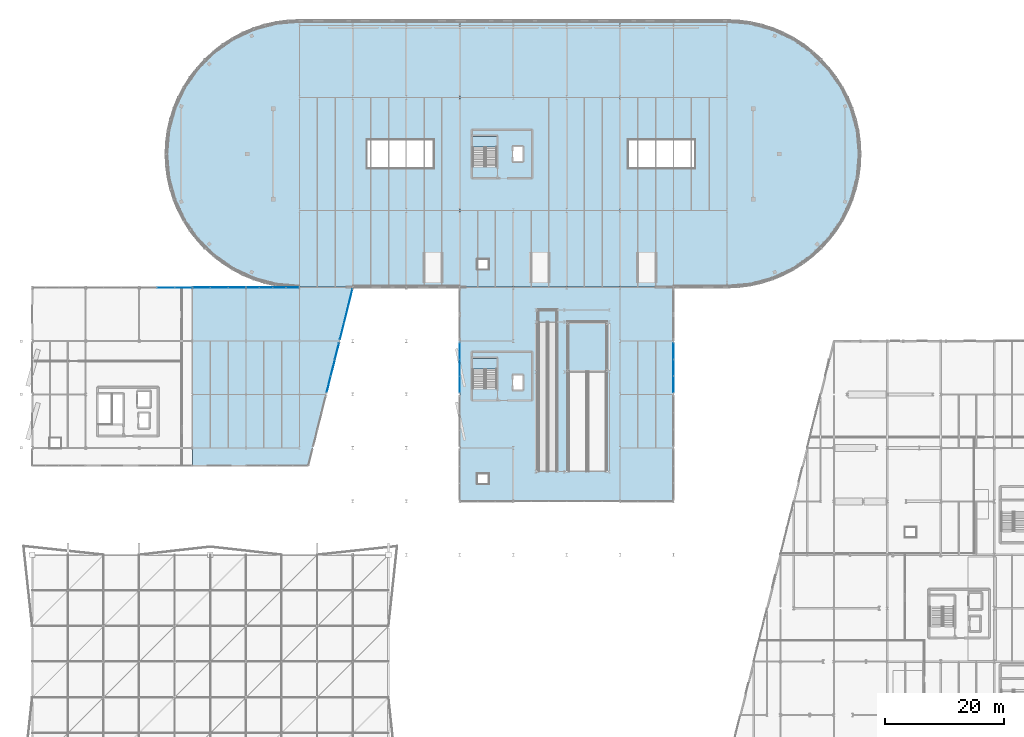
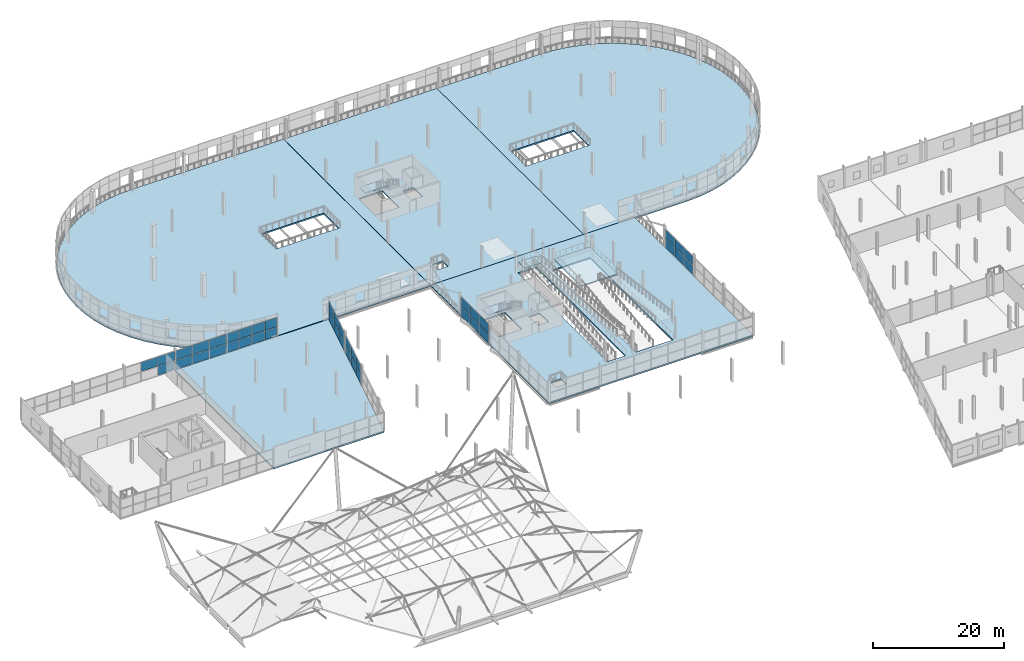
# One storey, part 102 of 132: 41 plates, 9 slabs, 10 elements without a shape of their own.
"""IFC4 building model written with IfcOpenShell, lengths in metres."""

from ifc_helpers import new_model, si_unit, direction, frame, origin, origin_2d, place, context, subcontext, project, spatial, polyline, rectangle, outline, extrude, material, layer, layer_set, type_object, element, aggregate, save


model = new_model("IFC4")

# Units and contexts
model_context = context("Model", 3, precision=1e-05, world=origin(), true_north=direction((0.0, 1.0)))
body_context = subcontext(model_context, "Body", "Model", "MODEL_VIEW")
ifc_project = project(units=[si_unit("LENGTHUNIT", "METRE"), si_unit("AREAUNIT", "SQUARE_METRE"), si_unit("VOLUMEUNIT", "CUBIC_METRE"), si_unit("PLANEANGLEUNIT", "RADIAN"), si_unit("MASSUNIT", "GRAM", prefix="KILO")], contexts=[model_context])

# Site, building, storey
site_placement = place(None, origin())
site = spatial("IfcSite", under=ifc_project, at=site_placement, CompositionType="ELEMENT")
building_placement = place(site_placement, origin())
building = spatial("IfcBuilding", under=site, at=building_placement, Name="Deido Ridge Mobility Hub", CompositionType="ELEMENT")
storey_placement = place(building_placement, frame((0.0, 0.0, 8.39990234375)))
storey = spatial("IfcBuildingStorey", under=building, at=storey_placement, Name="L02", CompositionType="ELEMENT", Elevation=8.39990234375)

# Curtain wall, plates
ifc_material_1 = material(Name="Anodised aluminium EN AW-6063 T6", Category="aluminium")
ifc_layer_1 = layer(ifc_material_1, 0.27001953125, Name="Anodised aluminium EN AW-6063 T6")
ifc_layer_set_1 = layer_set([ifc_layer_1], Name="Anodised aluminium EN AW-6063 T6")
curtain_wall_type_1 = type_object("IfcCurtainWallType", Name="CW-UF-8", PredefinedType="USERDEFINED", material=ifc_layer_set_1)
curtain_wall_1_placement = place(storey_placement, origin())
curtain_wall_1 = element("IfcCurtainWall", 1, at=curtain_wall_1_placement, inside=storey, type_object=curtain_wall_type_1, Name="Unitised curtain wall CW8", ObjectType="UNITISED FACADE", PredefinedType="USERDEFINED")
ifc_material_2 = material(Name="Laminated solar-control low-E glass", Category="glass")
ifc_layer_2 = layer(ifc_material_2, 0.02587890625, Name="Laminated solar-control low-E glass")
ifc_layer_set_2 = layer_set([ifc_layer_2], Name="Laminated solar-control low-E glass")
plate_type_1 = type_object("IfcPlateType", Name="PLT-CWP-26", PredefinedType="CURTAIN_PANEL", material=ifc_layer_set_2)
plate_1_placement = place(storey_placement, frame((52.173095703125, 73.692626953125, 0.050048828125), z_axis=(0.0, 0.0, 1.0), x_axis=(0.242546419373, 0.970139801497, 0.0)))
plate_1 = element("IfcPlate", 2, at=plate_1_placement, type_object=plate_type_1, Name="CW8 panel 1.1", PredefinedType="CURTAIN_PANEL", context=body_context, shape_type="SweptSolid", body=[
    extrude(rectangle(XDim=2.831298828125, YDim=0.02587890625, at=origin_2d()), origin(), (0.0, 0.0, 1.0), 1.72509765625),
])
plate_2_placement = place(storey_placement, frame((52.173095703125, 73.692626953125, 1.824951171875), z_axis=(0.0, 0.0, 1.0), x_axis=(0.242546419373, 0.970139801497, 0.0)))
plate_2 = element("IfcPlate", 3, at=plate_2_placement, type_object=plate_type_1, Name="CW8 panel 1.2", PredefinedType="CURTAIN_PANEL", context=body_context, shape_type="SweptSolid", body=[
    extrude(rectangle(XDim=2.831298828125, YDim=0.02587890625, at=origin_2d()), origin(), (0.0, 0.0, 1.0), 1.72509765625),
])
plate_3_placement = place(storey_placement, frame((52.875, 76.5, 0.050048828125), z_axis=(0.0, 0.0, 1.0), x_axis=(0.242546419373, 0.970139801497, 0.0)))
plate_3 = element("IfcPlate", 4, at=plate_3_placement, type_object=plate_type_1, Name="CW8 panel 2.1", PredefinedType="CURTAIN_PANEL", context=body_context, shape_type="SweptSolid", body=[
    extrude(rectangle(XDim=2.8564453125, YDim=0.02587890625, at=origin_2d()), origin(), (0.0, 0.0, 1.0), 1.72509765625),
])
plate_4_placement = place(storey_placement, frame((52.875, 76.5, 1.824951171875), z_axis=(0.0, 0.0, 1.0), x_axis=(0.242546419373, 0.970139801497, 0.0)))
plate_4 = element("IfcPlate", 5, at=plate_4_placement, type_object=plate_type_1, Name="CW8 panel 2.2", PredefinedType="CURTAIN_PANEL", context=body_context, shape_type="SweptSolid", body=[
    extrude(rectangle(XDim=2.8564453125, YDim=0.02587890625, at=origin_2d()), origin(), (0.0, 0.0, 1.0), 1.72509765625),
])
plate_5_placement = place(storey_placement, frame((53.576904296875, 79.307373046875, 0.050048828125), z_axis=(0.0, 0.0, 1.0), x_axis=(0.242546419373, 0.970139801497, 0.0)))
plate_5 = element("IfcPlate", 6, at=plate_5_placement, type_object=plate_type_1, Name="CW8 panel 3.1", PredefinedType="CURTAIN_PANEL", context=body_context, shape_type="SweptSolid", body=[
    extrude(rectangle(XDim=2.831298828125, YDim=0.02587890625, at=origin_2d()), origin(), (0.0, 0.0, 1.0), 1.72509765625),
])
plate_6_placement = place(storey_placement, frame((53.576904296875, 79.307373046875, 1.824951171875), z_axis=(0.0, 0.0, 1.0), x_axis=(0.242546419373, 0.970139801497, 0.0)))
plate_6 = element("IfcPlate", 7, at=plate_6_placement, type_object=plate_type_1, Name="CW8 panel 3.2", PredefinedType="CURTAIN_PANEL", context=body_context, shape_type="SweptSolid", body=[
    extrude(rectangle(XDim=2.831298828125, YDim=0.02587890625, at=origin_2d()), origin(), (0.0, 0.0, 1.0), 1.72509765625),
])
aggregate(curtain_wall_1, [plate_1, plate_2, plate_3, plate_4, plate_5, plate_6])

ifc_layer_3 = layer(ifc_material_1, 0.156005859375, Name="Anodised aluminium EN AW-6063 T6")
ifc_layer_set_3 = layer_set([ifc_layer_3], Name="Anodised aluminium EN AW-6063 T6")
curtain_wall_type_2 = type_object("IfcCurtainWallType", Name="CW-GS-3", PredefinedType="USERDEFINED", material=ifc_layer_set_3)
curtain_wall_2_placement = place(storey_placement, origin())
curtain_wall_2 = element("IfcCurtainWall", 8, at=curtain_wall_2_placement, inside=storey, type_object=curtain_wall_type_2, Name="Unitised curtain wall GS3", ObjectType="GLAZED SCREEN", PredefinedType="USERDEFINED")
ifc_layer_4 = layer(ifc_material_2, 0.032958984375, Name="Laminated solar-control low-E glass")
ifc_layer_set_4 = layer_set([ifc_layer_4], Name="Laminated solar-control low-E glass")
plate_type_2 = type_object("IfcPlateType", Name="PLT-CWP-33", PredefinedType="CURTAIN_PANEL", material=ifc_layer_set_4)
plate_7_placement = place(storey_placement, frame((22.5, 81.0, 1.83251953125), z_axis=(0.0, 0.0, 1.0), x_axis=(1.0, 0.0, 0.0)))
plate_7 = element("IfcPlate", 9, at=plate_7_placement, type_object=plate_type_2, Name="GS3 panel 2.2", PredefinedType="CURTAIN_PANEL", context=body_context, shape_type="SweptSolid", body=[
    extrude(rectangle(XDim=2.93017578125, YDim=0.032958984375, at=origin_2d()), origin(), (0.0, 0.0, 1.0), 1.702392578125),
])
plate_8_placement = place(storey_placement, frame((25.47900390625, 81.0, 0.06494140625), z_axis=(0.0, 0.0, 1.0), x_axis=(1.0, 0.0, 0.0)))
plate_8 = element("IfcPlate", 10, at=plate_8_placement, type_object=plate_type_2, Name="GS3 panel 3.1", PredefinedType="CURTAIN_PANEL", context=body_context, shape_type="SweptSolid", body=[
    extrude(rectangle(XDim=2.897705078125, YDim=0.032958984375, at=origin_2d()), origin(), (0.0, 0.0, 1.0), 1.702392578125),
])
plate_9_placement = place(storey_placement, frame((25.47900390625, 81.0, 1.83251953125), z_axis=(0.0, 0.0, 1.0), x_axis=(1.0, 0.0, 0.0)))
plate_9 = element("IfcPlate", 11, at=plate_9_placement, type_object=plate_type_2, Name="GS3 panel 3.2", PredefinedType="CURTAIN_PANEL", context=body_context, shape_type="SweptSolid", body=[
    extrude(rectangle(XDim=2.897705078125, YDim=0.032958984375, at=origin_2d()), origin(), (0.0, 0.0, 1.0), 1.702392578125),
])
aggregate(curtain_wall_2, [plate_7, plate_8, plate_9])

ifc_layer_5 = layer(ifc_material_1, 0.16796875, Name="Anodised aluminium EN AW-6063 T6")
ifc_layer_set_5 = layer_set([ifc_layer_5], Name="Anodised aluminium EN AW-6063 T6")
curtain_wall_type_3 = type_object("IfcCurtainWallType", Name="CW-GS-4", PredefinedType="USERDEFINED", material=ifc_layer_set_5)
curtain_wall_3_placement = place(storey_placement, origin())
curtain_wall_3 = element("IfcCurtainWall", 12, at=curtain_wall_3_placement, inside=storey, type_object=curtain_wall_type_3, Name="Unitised curtain wall GS4", ObjectType="GLAZED SCREEN", PredefinedType="USERDEFINED")
ifc_layer_6 = layer(ifc_material_2, 0.034912109375, Name="Laminated solar-control low-E glass")
ifc_layer_set_6 = layer_set([ifc_layer_6], Name="Laminated solar-control low-E glass")
plate_type_3 = type_object("IfcPlateType", Name="PLT-CWP-35", PredefinedType="CURTAIN_PANEL", material=ifc_layer_set_6)
plate_10_placement = place(storey_placement, frame((28.522216796875, 81.0, 0.06982421875), z_axis=(0.0, 0.0, 1.0), x_axis=(1.0, 0.0, 0.0)))
plate_10 = element("IfcPlate", 13, at=plate_10_placement, type_object=plate_type_3, Name="GS4 panel 1.1", PredefinedType="CURTAIN_PANEL", context=body_context, shape_type="SweptSolid", body=[
    extrude(rectangle(XDim=2.89013671875, YDim=0.034912109375, at=origin_2d()), origin(), (0.0, 0.0, 1.0), 1.695068359375),
])
plate_11_placement = place(storey_placement, frame((28.522216796875, 81.0, 1.8349609375), z_axis=(0.0, 0.0, 1.0), x_axis=(1.0, 0.0, 0.0)))
plate_11 = element("IfcPlate", 14, at=plate_11_placement, type_object=plate_type_3, Name="GS4 panel 1.2", PredefinedType="CURTAIN_PANEL", context=body_context, shape_type="SweptSolid", body=[
    extrude(rectangle(XDim=2.89013671875, YDim=0.034912109375, at=origin_2d()), origin(), (0.0, 0.0, 1.0), 1.695068359375),
])
plate_12_placement = place(storey_placement, frame((31.5, 81.0, 0.06982421875), z_axis=(0.0, 0.0, 1.0), x_axis=(1.0, 0.0, 0.0)))
plate_12 = element("IfcPlate", 15, at=plate_12_placement, type_object=plate_type_3, Name="GS4 panel 2.1", PredefinedType="CURTAIN_PANEL", context=body_context, shape_type="SweptSolid", body=[
    extrude(rectangle(XDim=2.92529296875, YDim=0.034912109375, at=origin_2d()), origin(), (0.0, 0.0, 1.0), 1.695068359375),
])
plate_13_placement = place(storey_placement, frame((31.5, 81.0, 1.8349609375), z_axis=(0.0, 0.0, 1.0), x_axis=(1.0, 0.0, 0.0)))
plate_13 = element("IfcPlate", 16, at=plate_13_placement, type_object=plate_type_3, Name="GS4 panel 2.2", PredefinedType="CURTAIN_PANEL", context=body_context, shape_type="SweptSolid", body=[
    extrude(rectangle(XDim=2.92529296875, YDim=0.034912109375, at=origin_2d()), origin(), (0.0, 0.0, 1.0), 1.695068359375),
])
plate_14_placement = place(storey_placement, frame((34.477783203125, 81.0, 0.06982421875), z_axis=(0.0, 0.0, 1.0), x_axis=(1.0, 0.0, 0.0)))
plate_14 = element("IfcPlate", 17, at=plate_14_placement, type_object=plate_type_3, Name="GS4 panel 3.1", PredefinedType="CURTAIN_PANEL", context=body_context, shape_type="SweptSolid", body=[
    extrude(rectangle(XDim=2.89013671875, YDim=0.034912109375, at=origin_2d()), origin(), (0.0, 0.0, 1.0), 1.695068359375),
])
plate_15_placement = place(storey_placement, frame((34.477783203125, 81.0, 1.8349609375), z_axis=(0.0, 0.0, 1.0), x_axis=(1.0, 0.0, 0.0)))
plate_15 = element("IfcPlate", 18, at=plate_15_placement, type_object=plate_type_3, Name="GS4 panel 3.2", PredefinedType="CURTAIN_PANEL", context=body_context, shape_type="SweptSolid", body=[
    extrude(rectangle(XDim=2.89013671875, YDim=0.034912109375, at=origin_2d()), origin(), (0.0, 0.0, 1.0), 1.695068359375),
])
aggregate(curtain_wall_3, [plate_10, plate_11, plate_12, plate_13, plate_14, plate_15])

ifc_layer_7 = layer(ifc_material_1, 0.195068359375, Name="Anodised aluminium EN AW-6063 T6")
ifc_layer_set_7 = layer_set([ifc_layer_7], Name="Anodised aluminium EN AW-6063 T6")
curtain_wall_type_4 = type_object("IfcCurtainWallType", Name="CW-UF-3", PredefinedType="USERDEFINED", material=ifc_layer_set_7)
curtain_wall_4_placement = place(storey_placement, origin())
curtain_wall_4 = element("IfcCurtainWall", 19, at=curtain_wall_4_placement, inside=storey, type_object=curtain_wall_type_4, Name="Unitised curtain wall CW3", ObjectType="UNITISED FACADE", PredefinedType="USERDEFINED")
plate_16_placement = place(storey_placement, frame((72.0, 64.68408203125, 0.06982421875), z_axis=(0.0, 0.0, 1.0), x_axis=(0.0, 1.0, 0.0)))
plate_16 = element("IfcPlate", 20, at=plate_16_placement, type_object=plate_type_3, Name="CW3 panel 1.1", PredefinedType="CURTAIN_PANEL", context=body_context, shape_type="SweptSolid", body=[
    extrude(rectangle(XDim=2.728271484375, YDim=0.034912109375, at=origin_2d()), origin(), (0.0, 0.0, 1.0), 1.695068359375),
])
plate_17_placement = place(storey_placement, frame((72.0, 64.68408203125, 1.8349609375), z_axis=(0.0, 0.0, 1.0), x_axis=(0.0, 1.0, 0.0)))
plate_17 = element("IfcPlate", 21, at=plate_17_placement, type_object=plate_type_3, Name="CW3 panel 1.2", PredefinedType="CURTAIN_PANEL", context=body_context, shape_type="SweptSolid", body=[
    extrude(rectangle(XDim=2.728271484375, YDim=0.034912109375, at=origin_2d()), origin(), (0.0, 0.0, 1.0), 1.695068359375),
])
plate_18_placement = place(storey_placement, frame((72.0, 67.5, 0.06982421875), z_axis=(0.0, 0.0, 1.0), x_axis=(0.0, 1.0, 0.0)))
plate_18 = element("IfcPlate", 22, at=plate_18_placement, type_object=plate_type_3, Name="CW3 panel 2.1", PredefinedType="CURTAIN_PANEL", context=body_context, shape_type="SweptSolid", body=[
    extrude(rectangle(XDim=2.763427734375, YDim=0.034912109375, at=origin_2d()), origin(), (0.0, 0.0, 1.0), 1.695068359375),
])
plate_19_placement = place(storey_placement, frame((72.0, 67.5, 1.8349609375), z_axis=(0.0, 0.0, 1.0), x_axis=(0.0, 1.0, 0.0)))
plate_19 = element("IfcPlate", 23, at=plate_19_placement, type_object=plate_type_3, Name="CW3 panel 2.2", PredefinedType="CURTAIN_PANEL", context=body_context, shape_type="SweptSolid", body=[
    extrude(rectangle(XDim=2.763427734375, YDim=0.034912109375, at=origin_2d()), origin(), (0.0, 0.0, 1.0), 1.695068359375),
])
plate_20_placement = place(storey_placement, frame((72.0, 70.31591796875, 0.06982421875), z_axis=(0.0, 0.0, 1.0), x_axis=(0.0, 1.0, 0.0)))
plate_20 = element("IfcPlate", 24, at=plate_20_placement, type_object=plate_type_3, Name="CW3 panel 3.1", PredefinedType="CURTAIN_PANEL", context=body_context, shape_type="SweptSolid", body=[
    extrude(rectangle(XDim=2.728271484375, YDim=0.034912109375, at=origin_2d()), origin(), (0.0, 0.0, 1.0), 1.695068359375),
])
plate_21_placement = place(storey_placement, frame((72.0, 70.31591796875, 1.8349609375), z_axis=(0.0, 0.0, 1.0), x_axis=(0.0, 1.0, 0.0)))
plate_21 = element("IfcPlate", 25, at=plate_21_placement, type_object=plate_type_3, Name="CW3 panel 3.2", PredefinedType="CURTAIN_PANEL", context=body_context, shape_type="SweptSolid", body=[
    extrude(rectangle(XDim=2.728271484375, YDim=0.034912109375, at=origin_2d()), origin(), (0.0, 0.0, 1.0), 1.695068359375),
])
aggregate(curtain_wall_4, [plate_16, plate_17, plate_18, plate_19, plate_20, plate_21])

ifc_layer_8 = layer(ifc_material_1, 0.132080078125, Name="Anodised aluminium EN AW-6063 T6")
ifc_layer_set_8 = layer_set([ifc_layer_8], Name="Anodised aluminium EN AW-6063 T6")
curtain_wall_type_5 = type_object("IfcCurtainWallType", Name="CW-GS-1", PredefinedType="USERDEFINED", material=ifc_layer_set_8)
curtain_wall_5_placement = place(storey_placement, origin())
curtain_wall_5 = element("IfcCurtainWall", 26, at=curtain_wall_5_placement, inside=storey, type_object=curtain_wall_type_5, Name="Unitised curtain wall GS1", ObjectType="GLAZED SCREEN", PredefinedType="USERDEFINED")
ifc_layer_9 = layer(ifc_material_2, 0.037109375, Name="Laminated solar-control low-E glass")
ifc_layer_set_9 = layer_set([ifc_layer_9], Name="Laminated solar-control low-E glass")
plate_type_4 = type_object("IfcPlateType", Name="PLT-CWP-37", PredefinedType="CURTAIN_PANEL", material=ifc_layer_set_9)
plate_22_placement = place(storey_placement, frame((37.149169921875, 81.0, 0.0751953125), z_axis=(0.0, 0.0, 1.0), x_axis=(1.0, 0.0, 0.0)))
plate_22 = element("IfcPlate", 27, at=plate_22_placement, type_object=plate_type_4, Name="GS1 panel 1.1", PredefinedType="CURTAIN_PANEL", context=body_context, shape_type="SweptSolid", body=[
    extrude(rectangle(XDim=2.1337890625, YDim=0.037109375, at=origin_2d()), origin(), (0.0, 0.0, 1.0), 1.6875),
])
plate_23_placement = place(storey_placement, frame((37.149169921875, 81.0, 1.837646484375), z_axis=(0.0, 0.0, 1.0), x_axis=(1.0, 0.0, 0.0)))
plate_23 = element("IfcPlate", 28, at=plate_23_placement, type_object=plate_type_4, Name="GS1 panel 1.2", PredefinedType="CURTAIN_PANEL", context=body_context, shape_type="SweptSolid", body=[
    extrude(rectangle(XDim=2.1337890625, YDim=0.037109375, at=origin_2d()), origin(), (0.0, 0.0, 1.0), 1.6875),
])
plate_24_placement = place(storey_placement, frame((39.376708984375, 81.0, 0.0751953125), z_axis=(0.0, 0.0, 1.0), x_axis=(1.0, 0.0, 0.0)))
plate_24 = element("IfcPlate", 29, at=plate_24_placement, type_object=plate_type_4, Name="GS1 panel 2.1", PredefinedType="CURTAIN_PANEL", context=body_context, shape_type="SweptSolid", body=[
    extrude(rectangle(XDim=2.17138671875, YDim=0.037109375, at=origin_2d()), origin(), (0.0, 0.0, 1.0), 1.6875),
])
plate_25_placement = place(storey_placement, frame((39.376708984375, 81.0, 1.837646484375), z_axis=(0.0, 0.0, 1.0), x_axis=(1.0, 0.0, 0.0)))
plate_25 = element("IfcPlate", 30, at=plate_25_placement, type_object=plate_type_4, Name="GS1 panel 2.2", PredefinedType="CURTAIN_PANEL", context=body_context, shape_type="SweptSolid", body=[
    extrude(rectangle(XDim=2.17138671875, YDim=0.037109375, at=origin_2d()), origin(), (0.0, 0.0, 1.0), 1.6875),
])
plate_26_placement = place(storey_placement, frame((41.623291015625, 81.0, 0.0751953125), z_axis=(0.0, 0.0, 1.0), x_axis=(1.0, 0.0, 0.0)))
plate_26 = element("IfcPlate", 31, at=plate_26_placement, type_object=plate_type_4, Name="GS1 panel 3.1", PredefinedType="CURTAIN_PANEL", context=body_context, shape_type="SweptSolid", body=[
    extrude(rectangle(XDim=2.17138671875, YDim=0.037109375, at=origin_2d()), origin(), (0.0, 0.0, 1.0), 1.6875),
])
plate_27_placement = place(storey_placement, frame((41.623291015625, 81.0, 1.837646484375), z_axis=(0.0, 0.0, 1.0), x_axis=(1.0, 0.0, 0.0)))
plate_27 = element("IfcPlate", 32, at=plate_27_placement, type_object=plate_type_4, Name="GS1 panel 3.2", PredefinedType="CURTAIN_PANEL", context=body_context, shape_type="SweptSolid", body=[
    extrude(rectangle(XDim=2.17138671875, YDim=0.037109375, at=origin_2d()), origin(), (0.0, 0.0, 1.0), 1.6875),
])
plate_28_placement = place(storey_placement, frame((43.850830078125, 81.0, 0.0751953125), z_axis=(0.0, 0.0, 1.0), x_axis=(1.0, 0.0, 0.0)))
plate_28 = element("IfcPlate", 33, at=plate_28_placement, type_object=plate_type_4, Name="GS1 panel 4.1", PredefinedType="CURTAIN_PANEL", context=body_context, shape_type="SweptSolid", body=[
    extrude(rectangle(XDim=2.1337890625, YDim=0.037109375, at=origin_2d()), origin(), (0.0, 0.0, 1.0), 1.6875),
])
plate_29_placement = place(storey_placement, frame((43.850830078125, 81.0, 1.837646484375), z_axis=(0.0, 0.0, 1.0), x_axis=(1.0, 0.0, 0.0)))
plate_29 = element("IfcPlate", 34, at=plate_29_placement, type_object=plate_type_4, Name="GS1 panel 4.2", PredefinedType="CURTAIN_PANEL", context=body_context, shape_type="SweptSolid", body=[
    extrude(rectangle(XDim=2.1337890625, YDim=0.037109375, at=origin_2d()), origin(), (0.0, 0.0, 1.0), 1.6875),
])
aggregate(curtain_wall_5, [plate_22, plate_23, plate_24, plate_25, plate_26, plate_27, plate_28, plate_29])

ifc_layer_10 = layer(ifc_material_1, 0.2548828125, Name="Anodised aluminium EN AW-6063 T6")
ifc_layer_set_10 = layer_set([ifc_layer_10], Name="Anodised aluminium EN AW-6063 T6")
curtain_wall_type_6 = type_object("IfcCurtainWallType", Name="CW-UF-7", PredefinedType="USERDEFINED", material=ifc_layer_set_10)
curtain_wall_6_placement = place(storey_placement, origin())
curtain_wall_6 = element("IfcCurtainWall", 35, at=curtain_wall_6_placement, inside=storey, type_object=curtain_wall_type_6, Name="Unitised curtain wall CW7", ObjectType="UNITISED FACADE", PredefinedType="USERDEFINED")
ifc_layer_11 = layer(ifc_material_2, 0.041015625, Name="Laminated solar-control low-E glass")
ifc_layer_set_11 = layer_set([ifc_layer_11], Name="Laminated solar-control low-E glass")
plate_type_5 = type_object("IfcPlateType", Name="PLT-CWP-41", PredefinedType="CURTAIN_PANEL", material=ifc_layer_set_11)
plate_30_placement = place(storey_placement, frame((49.92529296875, 64.700927734375, 0.0849609375), z_axis=(0.0, 0.0, 1.0), x_axis=(0.242546419373, 0.970139801497, 0.0)))
plate_30 = element("IfcPlate", 36, at=plate_30_placement, type_object=plate_type_5, Name="CW7 panel 1.1", PredefinedType="CURTAIN_PANEL", context=body_context, shape_type="SweptSolid", body=[
    extrude(rectangle(XDim=2.77880859375, YDim=0.041015625, at=origin_2d()), origin(), (0.0, 0.0, 1.0), 1.672607421875),
])
plate_31_placement = place(storey_placement, frame((49.92529296875, 64.700927734375, 1.8427734375), z_axis=(0.0, 0.0, 1.0), x_axis=(0.242546419373, 0.970139801497, 0.0)))
plate_31 = element("IfcPlate", 37, at=plate_31_placement, type_object=plate_type_5, Name="CW7 panel 1.2", PredefinedType="CURTAIN_PANEL", context=body_context, shape_type="SweptSolid", body=[
    extrude(rectangle(XDim=2.77880859375, YDim=0.041015625, at=origin_2d()), origin(), (0.0, 0.0, 1.0), 1.672607421875),
])
plate_32_placement = place(storey_placement, frame((50.625, 67.5, 0.0849609375), z_axis=(0.0, 0.0, 1.0), x_axis=(0.242546419373, 0.970139801497, 0.0)))
plate_32 = element("IfcPlate", 38, at=plate_32_placement, type_object=plate_type_5, Name="CW7 panel 2.1", PredefinedType="CURTAIN_PANEL", context=body_context, shape_type="SweptSolid", body=[
    extrude(rectangle(XDim=2.8212890625, YDim=0.041015625, at=origin_2d()), origin(), (0.0, 0.0, 1.0), 1.672607421875),
])
plate_33_placement = place(storey_placement, frame((50.625, 67.5, 1.8427734375), z_axis=(0.0, 0.0, 1.0), x_axis=(0.242546419373, 0.970139801497, 0.0)))
plate_33 = element("IfcPlate", 39, at=plate_33_placement, type_object=plate_type_5, Name="CW7 panel 2.2", PredefinedType="CURTAIN_PANEL", context=body_context, shape_type="SweptSolid", body=[
    extrude(rectangle(XDim=2.8212890625, YDim=0.041015625, at=origin_2d()), origin(), (0.0, 0.0, 1.0), 1.672607421875),
])
plate_34_placement = place(storey_placement, frame((51.32470703125, 70.299072265625, 0.0849609375), z_axis=(0.0, 0.0, 1.0), x_axis=(0.242546419373, 0.970139801497, 0.0)))
plate_34 = element("IfcPlate", 40, at=plate_34_placement, type_object=plate_type_5, Name="CW7 panel 3.1", PredefinedType="CURTAIN_PANEL", context=body_context, shape_type="SweptSolid", body=[
    extrude(rectangle(XDim=2.77880859375, YDim=0.041015625, at=origin_2d()), origin(), (0.0, 0.0, 1.0), 1.672607421875),
])
plate_35_placement = place(storey_placement, frame((51.32470703125, 70.299072265625, 1.8427734375), z_axis=(0.0, 0.0, 1.0), x_axis=(0.242546419373, 0.970139801497, 0.0)))
plate_35 = element("IfcPlate", 41, at=plate_35_placement, type_object=plate_type_5, Name="CW7 panel 3.2", PredefinedType="CURTAIN_PANEL", context=body_context, shape_type="SweptSolid", body=[
    extrude(rectangle(XDim=2.77880859375, YDim=0.041015625, at=origin_2d()), origin(), (0.0, 0.0, 1.0), 1.672607421875),
])
aggregate(curtain_wall_6, [plate_30, plate_31, plate_32, plate_33, plate_34, plate_35])

ifc_layer_12 = layer(ifc_material_1, 0.239990234375, Name="Anodised aluminium EN AW-6063 T6")
ifc_layer_set_12 = layer_set([ifc_layer_12], Name="Anodised aluminium EN AW-6063 T6")
curtain_wall_type_7 = type_object("IfcCurtainWallType", Name="CW-UF-6", PredefinedType="USERDEFINED", material=ifc_layer_set_12)
curtain_wall_7_placement = place(storey_placement, origin())
curtain_wall_7 = element("IfcCurtainWall", 42, at=curtain_wall_7_placement, inside=storey, type_object=curtain_wall_type_7, Name="Unitised curtain wall CW6", ObjectType="UNITISED FACADE", PredefinedType="USERDEFINED")
plate_36_placement = place(storey_placement, frame((108.0, 64.68798828125, 0.0849609375), z_axis=(0.0, 0.0, 1.0), x_axis=(0.0, 1.0, 0.0)))
plate_36 = element("IfcPlate", 43, at=plate_36_placement, type_object=plate_type_5, Name="CW6 panel 1.1", PredefinedType="CURTAIN_PANEL", context=body_context, shape_type="SweptSolid", body=[
    extrude(rectangle(XDim=2.705810546875, YDim=0.041015625, at=origin_2d()), origin(), (0.0, 0.0, 1.0), 1.672607421875),
])
plate_37_placement = place(storey_placement, frame((108.0, 64.68798828125, 1.8427734375), z_axis=(0.0, 0.0, 1.0), x_axis=(0.0, 1.0, 0.0)))
plate_37 = element("IfcPlate", 44, at=plate_37_placement, type_object=plate_type_5, Name="CW6 panel 1.2", PredefinedType="CURTAIN_PANEL", context=body_context, shape_type="SweptSolid", body=[
    extrude(rectangle(XDim=2.705810546875, YDim=0.041015625, at=origin_2d()), origin(), (0.0, 0.0, 1.0), 1.672607421875),
])
plate_38_placement = place(storey_placement, frame((108.0, 67.5, 0.0849609375), z_axis=(0.0, 0.0, 1.0), x_axis=(0.0, 1.0, 0.0)))
plate_38 = element("IfcPlate", 45, at=plate_38_placement, type_object=plate_type_5, Name="CW6 panel 2.1", PredefinedType="CURTAIN_PANEL", context=body_context, shape_type="SweptSolid", body=[
    extrude(rectangle(XDim=2.748291015625, YDim=0.041015625, at=origin_2d()), origin(), (0.0, 0.0, 1.0), 1.672607421875),
])
plate_39_placement = place(storey_placement, frame((108.0, 67.5, 1.8427734375), z_axis=(0.0, 0.0, 1.0), x_axis=(0.0, 1.0, 0.0)))
plate_39 = element("IfcPlate", 46, at=plate_39_placement, type_object=plate_type_5, Name="CW6 panel 2.2", PredefinedType="CURTAIN_PANEL", context=body_context, shape_type="SweptSolid", body=[
    extrude(rectangle(XDim=2.748291015625, YDim=0.041015625, at=origin_2d()), origin(), (0.0, 0.0, 1.0), 1.672607421875),
])
plate_40_placement = place(storey_placement, frame((108.0, 70.31201171875, 0.0849609375), z_axis=(0.0, 0.0, 1.0), x_axis=(0.0, 1.0, 0.0)))
plate_40 = element("IfcPlate", 47, at=plate_40_placement, type_object=plate_type_5, Name="CW6 panel 3.1", PredefinedType="CURTAIN_PANEL", context=body_context, shape_type="SweptSolid", body=[
    extrude(rectangle(XDim=2.705810546875, YDim=0.041015625, at=origin_2d()), origin(), (0.0, 0.0, 1.0), 1.672607421875),
])
plate_41_placement = place(storey_placement, frame((108.0, 70.31201171875, 1.8427734375), z_axis=(0.0, 0.0, 1.0), x_axis=(0.0, 1.0, 0.0)))
plate_41 = element("IfcPlate", 48, at=plate_41_placement, type_object=plate_type_5, Name="CW6 panel 3.2", PredefinedType="CURTAIN_PANEL", context=body_context, shape_type="SweptSolid", body=[
    extrude(rectangle(XDim=2.705810546875, YDim=0.041015625, at=origin_2d()), origin(), (0.0, 0.0, 1.0), 1.672607421875),
])
aggregate(curtain_wall_7, [plate_36, plate_37, plate_38, plate_39, plate_40, plate_41])

# Slabs
ifc_material_3 = material(Name="Concrete C35/45", Category="concrete")
ifc_layer_13 = layer(ifc_material_3, 0.2548828125, Name="Concrete C35/45")
ifc_layer_set_13 = layer_set([ifc_layer_13], Name="Concrete C35/45")
slab_type_1 = type_object("IfcSlabType", Name="SLB-FLR-255", PredefinedType="FLOOR", material=ifc_layer_set_13)
slab_1_placement = place(storey_placement, frame((0.0, 0.0, -0.2548828125)))
element("IfcSlab", 49, at=slab_1_placement, inside=storey, type_object=slab_type_1, Name="L02 V5 structural deck 36", PredefinedType="FLOOR", context=body_context, shape_type="SweptSolid", body=[
    extrude(outline(polyline([(46.5, 51.0), (27.0, 51.0), (27.0, 81.0), (54.0, 81.0), (46.5, 51.0)])), origin(), (0.0, 0.0, 1.0), 0.2548828125),
])
slab_2_placement = place(storey_placement, frame((0.0, 0.0, -0.2548828125)))
element("IfcSlab", 50, at=slab_2_placement, inside=storey, type_object=slab_type_1, Name="L02 V2 structural deck 37", PredefinedType="FLOOR", context=body_context, shape_type="SweptSolid", body=[
    extrude(outline(polyline([(108.0, 81.10009765625), (108.0, 45.0), (72.02490234375, 45.0), (72.02490234375, 81.10009765625), (108.0, 81.10009765625)]), holes=[polyline([(75.02490234375, 48.0), (75.02490234375, 49.60009765625), (76.824951171875, 49.60009765625), (76.824951171875, 48.0), (75.02490234375, 48.0)]), polyline([(85.199951171875, 50.0), (85.199951171875, 77.25), (88.39990234375, 77.25), (88.39990234375, 50.0), (85.199951171875, 50.0)]), polyline([(80.85009765625, 63.64990234375), (80.85009765625, 66.35009765625), (82.75, 66.35009765625), (82.75, 63.64990234375), (80.85009765625, 63.64990234375)]), polyline([(74.139892578125, 64.0), (74.139892578125, 69.10009765625), (78.239990234375, 69.10009765625), (78.239990234375, 64.0), (74.139892578125, 64.0)]), polyline([(90.25, 75.25), (96.75, 75.25), (96.75, 50.0), (90.25, 50.0), (90.25, 75.25)])]), origin(), (0.0, 0.0, 1.0), 0.2548828125),
])
slab_3_placement = place(storey_placement, frame((0.0, 0.0, -0.2548828125)))
element("IfcSlab", 51, at=slab_3_placement, inside=storey, type_object=slab_type_1, Name="L02 V4 structural deck 38", PredefinedType="FLOOR", context=body_context, shape_type="SweptSolid", body=[
    extrude(outline(polyline([(42.65869140625, 81.22265625), (40.3427734375, 81.589599609375), (38.077880859375, 82.1962890625), (35.88916015625, 83.03662109375), (33.800048828125, 84.10107421875), (31.83349609375, 85.3779296875), (30.011474609375, 86.853515625), (28.353515625, 88.511474609375), (26.8779296875, 90.33349609375), (25.60107421875, 92.300048828125), (24.53662109375, 94.38916015625), (23.6962890625, 96.577880859375), (23.089599609375, 98.8427734375), (22.72265625, 101.15869140625), (22.60009765625, 103.5), (22.72265625, 105.84130859375), (23.089599609375, 108.1572265625), (23.6962890625, 110.422119140625), (24.53662109375, 112.61083984375), (25.60107421875, 114.699951171875), (26.8779296875, 116.66650390625), (28.353515625, 118.488525390625), (30.011474609375, 120.146484375), (31.83349609375, 121.6220703125), (33.800048828125, 122.89892578125), (35.88916015625, 123.96337890625), (38.077880859375, 124.8037109375), (40.3427734375, 125.410400390625), (42.65869140625, 125.77734375), (45.0, 125.89990234375), (71.97509765625, 125.89990234375), (71.97509765625, 81.10009765625), (45.0, 81.10009765625), (42.65869140625, 81.22265625)]), holes=[polyline([(56.5, 101.199951171875), (56.5, 105.800048828125), (67.5, 105.800048828125), (67.5, 101.199951171875), (56.5, 101.199951171875)])]), origin(), (0.0, 0.0, 1.0), 0.2548828125),
])
slab_4_placement = place(storey_placement, frame((0.0, 0.0, -0.2548828125)))
element("IfcSlab", 52, at=slab_4_placement, inside=storey, type_object=slab_type_1, Name="L02 V4 structural deck 39", PredefinedType="FLOOR", context=body_context, shape_type="SweptSolid", body=[
    extrude(outline(polyline([(99.0, 81.10009765625), (72.02490234375, 81.10009765625), (72.02490234375, 125.89990234375), (99.0, 125.89990234375), (99.0, 81.10009765625)]), holes=[polyline([(75.02490234375, 84.10009765625), (75.02490234375, 85.699951171875), (76.824951171875, 85.699951171875), (76.824951171875, 84.10009765625), (75.02490234375, 84.10009765625)]), polyline([(80.85009765625, 104.85009765625), (82.75, 104.85009765625), (82.75, 102.14990234375), (80.85009765625, 102.14990234375), (80.85009765625, 104.85009765625)]), polyline([(74.139892578125, 101.39990234375), (74.139892578125, 106.5), (78.239990234375, 106.5), (78.239990234375, 101.39990234375), (74.139892578125, 101.39990234375)])]), origin(), (0.0, 0.0, 1.0), 0.2548828125),
])
slab_5_placement = place(storey_placement, frame((0.0, 0.0, -0.2548828125)))
element("IfcSlab", 53, at=slab_5_placement, inside=storey, type_object=slab_type_1, Name="L02 V4 structural deck 40", PredefinedType="FLOOR", context=body_context, shape_type="SweptSolid", body=[
    extrude(outline(polyline([(119.34130859375, 125.77734375), (121.6572265625, 125.410400390625), (123.922119140625, 124.8037109375), (126.11083984375, 123.96337890625), (128.199951171875, 122.89892578125), (130.16650390625, 121.6220703125), (131.988525390625, 120.146484375), (133.646484375, 118.488525390625), (135.1220703125, 116.66650390625), (136.39892578125, 114.699951171875), (137.46337890625, 112.61083984375), (138.3037109375, 110.422119140625), (138.910400390625, 108.1572265625), (139.27734375, 105.84130859375), (139.39990234375, 103.5), (139.27734375, 101.15869140625), (138.910400390625, 98.8427734375), (138.3037109375, 96.577880859375), (137.46337890625, 94.38916015625), (136.39892578125, 92.300048828125), (135.1220703125, 90.33349609375), (133.646484375, 88.511474609375), (131.988525390625, 86.853515625), (130.16650390625, 85.3779296875), (128.199951171875, 84.10107421875), (126.11083984375, 83.03662109375), (123.922119140625, 82.1962890625), (121.6572265625, 81.589599609375), (119.34130859375, 81.22265625), (117.0, 81.10009765625), (99.0, 81.10009765625), (99.0, 125.89990234375), (117.0, 125.89990234375), (119.34130859375, 125.77734375)]), holes=[polyline([(100.5, 105.800048828125), (111.5, 105.800048828125), (111.5, 101.199951171875), (100.5, 101.199951171875), (100.5, 105.800048828125)])]), origin(), (0.0, 0.0, 1.0), 0.2548828125),
])

# Ramp, slab
ramp_type = type_object("IfcRampType", Name="RAMP-CYC-STRAIGHT", PredefinedType="STRAIGHT_RUN_RAMP", material=ifc_material_3)
ramp_placement = place(storey_placement, origin())
ramp = element("IfcRamp", 54, at=ramp_placement, inside=storey, type_object=ramp_type, Name="Cycle and accessible ramp CR1 L02", PredefinedType="STRAIGHT_RUN_RAMP")
ifc_layer_14 = layer(ifc_material_3, 0.215087890625, Name="Concrete C35/45")
ifc_layer_set_14 = layer_set([ifc_layer_14], Name="Concrete C35/45")
slab_type_2 = type_object("IfcSlabType", Name="SLB-LND-215", PredefinedType="LANDING", material=ifc_layer_set_14)
slab_6_placement = place(storey_placement, frame((0.0, 0.0, 1.885009765625)))
slab_6 = element("IfcSlab", 55, at=slab_6_placement, type_object=slab_type_2, Name="Cycle ramp landing L02", PredefinedType="LANDING", context=body_context, shape_type="SweptSolid", body=[
    extrude(outline(polyline([(85.25, 75.199951171875), (88.35009765625, 75.199951171875), (88.35009765625, 77.199951171875), (85.25, 77.199951171875), (85.25, 75.199951171875)])), origin(), (0.0, 0.0, 1.0), 0.215087890625),
])
aggregate(ramp, [slab_6])

# Slab
ifc_layer_15 = layer(ifc_material_3, 0.22509765625, Name="Concrete C35/45")
ifc_layer_set_15 = layer_set([ifc_layer_15], Name="Concrete C35/45")
slab_type_3 = type_object("IfcSlabType", Name="SLB-LND-225", PredefinedType="LANDING", material=ifc_layer_set_15)
slab_7_placement = place(storey_placement, frame((0.0, 0.0, 1.875)))
element("IfcSlab", 56, at=slab_7_placement, inside=storey, type_object=slab_type_3, Name="Vehicle ramp structural half-landing L02", PredefinedType="LANDING", context=body_context, shape_type="SweptSolid", body=[
    extrude(outline(polyline([(90.300048828125, 66.800048828125), (96.699951171875, 66.800048828125), (96.699951171875, 75.199951171875), (90.300048828125, 75.199951171875), (90.300048828125, 66.800048828125)])), origin(), (0.0, 0.0, 1.0), 0.22509765625),
])

# Stair, slab
stair_type = type_object("IfcStairType", Name="ST-CORE-DBL-1520", PredefinedType="DOUBLE_RETURN_STAIR", material=ifc_material_3)
stair_1_placement = place(storey_placement, origin())
stair_1 = element("IfcStair", 57, at=stair_1_placement, inside=storey, type_object=stair_type, Name="Protected exit stair ST4 (L02)", PredefinedType="DOUBLE_RETURN_STAIR")
ifc_layer_16 = layer(ifc_material_3, 0.18994140625, Name="Concrete C35/45")
ifc_layer_set_16 = layer_set([ifc_layer_16], Name="Concrete C35/45")
slab_type_4 = type_object("IfcSlabType", Name="SLB-STLND-190", PredefinedType="LANDING", material=ifc_layer_set_16)
slab_8_placement = place(storey_placement, frame((0.0, 0.0, 1.91015625)))
slab_8 = element("IfcSlab", 58, at=slab_8_placement, type_object=slab_type_4, Name="ST4 landing 1", PredefinedType="LANDING", context=body_context, shape_type="SweptSolid", body=[
    extrude(outline(polyline([(74.14990234375, 67.25), (78.235107421875, 67.25), (78.235107421875, 69.074951171875), (74.14990234375, 69.074951171875), (74.14990234375, 67.25)])), origin(), (0.0, 0.0, 1.0), 0.18994140625),
])
aggregate(stair_1, [slab_8])

stair_2_placement = place(storey_placement, origin())
stair_2 = element("IfcStair", 59, at=stair_2_placement, inside=storey, type_object=stair_type, Name="Protected exit stair ST5 (L02)", PredefinedType="DOUBLE_RETURN_STAIR")
slab_9_placement = place(storey_placement, frame((0.0, 0.0, 1.91015625)))
slab_9 = element("IfcSlab", 60, at=slab_9_placement, type_object=slab_type_4, Name="ST5 landing 1", PredefinedType="LANDING", context=body_context, shape_type="SweptSolid", body=[
    extrude(outline(polyline([(74.14990234375, 104.64990234375), (78.235107421875, 104.64990234375), (78.235107421875, 106.47509765625), (74.14990234375, 106.47509765625), (74.14990234375, 104.64990234375)])), origin(), (0.0, 0.0, 1.0), 0.18994140625),
])
aggregate(stair_2, [slab_9])

save(model, "model.ifc")
